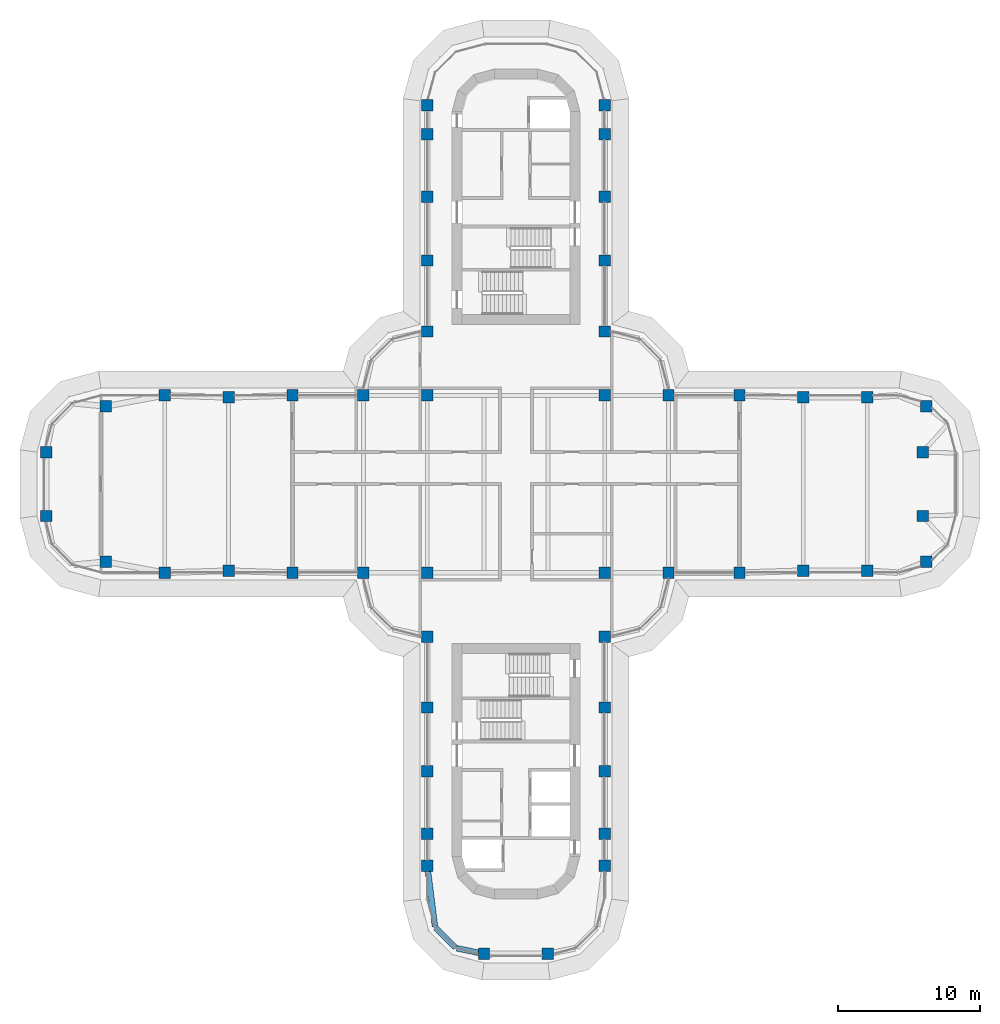
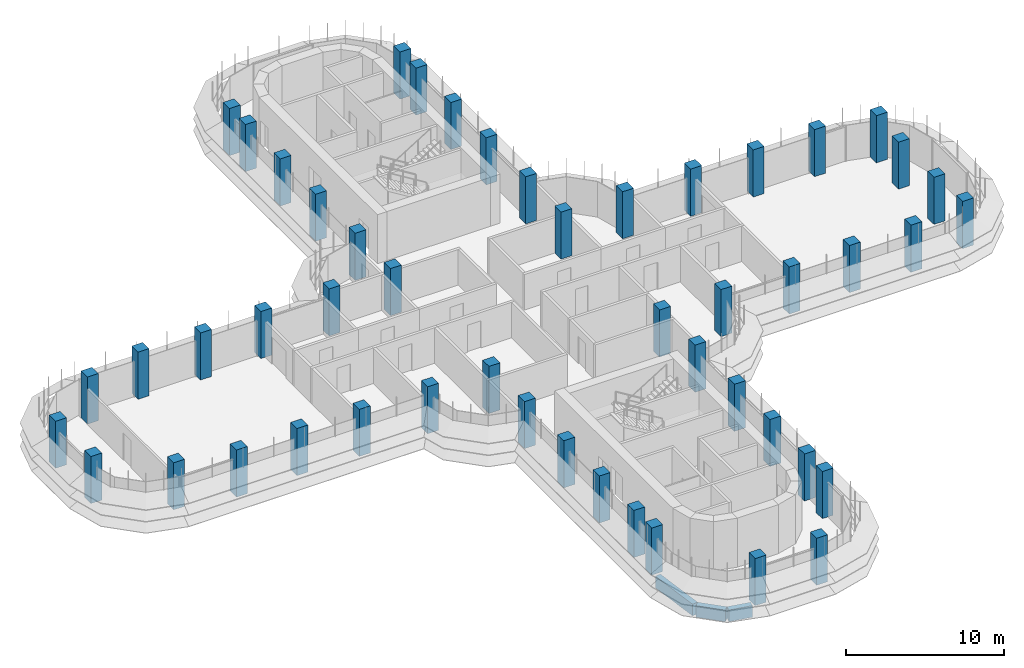
# One storey, part 1 of 20: 50 columns, 3 beams.
"""IFC4 building model written with IfcOpenShell, lengths in metres."""

from ifc_helpers import new_model, si_unit, direction, frame, origin, origin_2d, place, context, subcontext, project, spatial, rectangle, extrude, material, material_profile, profile_set, type_object, element, save


model = new_model("IFC4")

# Units and contexts
model_context = context("Model", 3, precision=1e-05, world=origin(), true_north=direction((0.0, 1.0)))
body_context = subcontext(model_context, "Body", "Model", "MODEL_VIEW")
ifc_project = project(units=[si_unit("LENGTHUNIT", "METRE"), si_unit("AREAUNIT", "SQUARE_METRE"), si_unit("VOLUMEUNIT", "CUBIC_METRE"), si_unit("PLANEANGLEUNIT", "RADIAN"), si_unit("MASSUNIT", "GRAM", prefix="KILO")], contexts=[model_context])

# Site, building, storey
site_placement = place(None, origin())
site = spatial("IfcSite", under=ifc_project, at=site_placement, CompositionType="ELEMENT")
building_placement = place(site_placement, origin())
building = spatial("IfcBuilding", under=site, at=building_placement, Name="Zarbagh Exchange Tower", CompositionType="ELEMENT")
storey_placement = place(building_placement, frame((0.0, 0.0, 152.39990234375)))
storey = spatial("IfcBuildingStorey", under=building, at=storey_placement, Name="L36", CompositionType="ELEMENT", Elevation=152.39990234375)

# Columns
ifc_material = material(Name="Concrete C50/60", Category="concrete")
ifc_material_profile_1 = material_profile(ifc_material, rectangle(XDim=0.800048828125, YDim=0.800048828125, at=origin_2d()), Name="RC column 800 x 800 C50/60")
ifc_profile_set_1 = profile_set([ifc_material_profile_1], Name="Concrete C50/60")
column_type = type_object("IfcColumnType", Name="RC column 800 x 800 C50/60", PredefinedType="COLUMN", material=ifc_profile_set_1)
for number, where, z_axis, x_axis, name in (
    (1, (-33.110107421875, -2.25, 0.0), (0.0, 0.0, 1.0), (1.0, 0.0, 0.0), "C4 10/S"),
    (2, (-33.110107421875, 2.25, 0.0), (0.0, 0.0, 1.0), (1.0, 0.0, 0.0), "C4 10/T"),
    (3, (-28.907958984375, -5.47509765625, 0.0), (0.0, 0.0, 1.0), (1.0, 0.0, 0.0), "C4 11/R"),
    (4, (-28.907958984375, 5.47509765625, 0.0), (0.0, 0.0, 1.0), (1.0, 0.0, 0.0), "C4 11/U"),
    (5, (-24.75, -6.25, 0.0), (0.0, 0.0, 1.0), (1.0, 0.0, 0.0), "C4 12/R"),
    (6, (-24.75, 6.25, 0.0), (0.0, 0.0, 1.0), (1.0, 0.0, 0.0), "C4 12/U"),
    (7, (-20.25, -6.110107421875, 0.0), (0.0, 0.0, 1.0), (1.0, 0.0, 0.0), "C4 13/R"),
    (8, (-20.25, 6.110107421875, 0.0), (0.0, 0.0, 1.0), (1.0, 0.0, 0.0), "C4 13/U"),
    (9, (-15.75, -6.25, 0.0), (0.0, 0.0, 1.0), (1.0, 0.0, 0.0), "C4 14/R"),
    (10, (-15.75, 6.25, 0.0), (0.0, 0.0, 1.0), (1.0, 0.0, 0.0), "C4 14/U"),
    (11, (-10.75, -6.25, 0.0), (0.0, 0.0, 1.0), (1.0, 0.0, 0.0), "C4 15/R"),
    (12, (-10.75, 6.25, 0.0), (0.0, 0.0, 1.0), (1.0, 0.0, 0.0), "C4 15/U"),
    (13, (-6.25, -26.89990234375, 0.0), (0.0, 0.0, 1.0), (1.0, 0.0, 0.0), "C4 16/L"),
    (14, (-6.25, -24.64990234375, 0.0), (0.0, 0.0, 1.0), (1.0, 0.0, 0.0), "C4 16/M"),
    (15, (-6.25, -20.25, 0.0), (0.0, 0.0, 1.0), (1.0, 0.0, 0.0), "C4 16/N"),
    (16, (-6.25, -15.75, 0.0), (0.0, 0.0, 1.0), (1.0, 0.0, 0.0), "C4 16/P"),
    (17, (-6.25, -10.75, 0.0), (0.0, 0.0, 1.0), (1.0, 0.0, 0.0), "C4 16/Q"),
    (18, (-6.25, -6.25, 0.0), (0.0, 0.0, 1.0), (1.0, 0.0, 0.0), "C4 16/R"),
    (19, (-6.25, 6.25, 0.0), (0.0, 0.0, 1.0), (1.0, 0.0, 0.0), "C4 16/U"),
    (20, (-6.25, 10.75, 0.0), (0.0, 0.0, 1.0), (1.0, 0.0, 0.0), "C4 16/V"),
    (21, (-6.25, 15.75, 0.0), (0.0, 0.0, 1.0), (1.0, 0.0, 0.0), "C4 16/W"),
    (22, (-6.25, 20.25, 0.0), (0.0, 0.0, 1.0), (1.0, 0.0, 0.0), "C4 16/X"),
    (23, (-6.25, 24.64990234375, 0.0), (0.0, 0.0, 1.0), (1.0, 0.0, 0.0), "C4 16/Y"),
    (24, (-6.25, 26.699951171875, 0.0), (0.0, 0.0, 1.0), (1.0, 0.0, 0.0), "C4 16/Z"),
    (25, (-2.25, -33.110107421875, 0.0), (0.0, 0.0, 1.0), (1.0, 0.0, 0.0), "C4 17/K"),
    (26, (2.25, -33.110107421875, 0.0), (0.0, 0.0, 1.0), (1.0, 0.0, 0.0), "C4 18/K"),
    (27, (6.25, -26.89990234375, 0.0), (0.0, 0.0, 1.0), (1.0, 0.0, 0.0), "C4 19/L"),
    (28, (6.25, -24.64990234375, 0.0), (0.0, 0.0, 1.0), (1.0, 0.0, 0.0), "C4 19/M"),
    (29, (6.25, -20.25, 0.0), (0.0, 0.0, 1.0), (1.0, 0.0, 0.0), "C4 19/N"),
    (30, (6.25, -15.75, 0.0), (0.0, 0.0, 1.0), (1.0, 0.0, 0.0), "C4 19/P"),
    (31, (6.25, -10.75, 0.0), (0.0, 0.0, 1.0), (1.0, 0.0, 0.0), "C4 19/Q"),
    (32, (6.25, -6.25, 0.0), (0.0, 0.0, 1.0), (1.0, 0.0, 0.0), "C4 19/R"),
    (33, (6.25, 6.25, 0.0), (0.0, 0.0, 1.0), (1.0, 0.0, 0.0), "C4 19/U"),
    (34, (6.25, 10.75, 0.0), (0.0, 0.0, 1.0), (1.0, 0.0, 0.0), "C4 19/V"),
    (35, (6.25, 15.75, 0.0), (0.0, 0.0, 1.0), (1.0, 0.0, 0.0), "C4 19/W"),
    (36, (6.25, 20.25, 0.0), (0.0, 0.0, 1.0), (1.0, 0.0, 0.0), "C4 19/X"),
    (37, (6.25, 24.64990234375, 0.0), (0.0, 0.0, 1.0), (1.0, 0.0, 0.0), "C4 19/Y"),
    (38, (6.25, 26.699951171875, 0.0), (0.0, 0.0, 1.0), (1.0, 0.0, 0.0), "C4 19/Z"),
    (39, (10.75, -6.25, 0.0), (0.0, 0.0, 1.0), (1.0, 0.0, 0.0), "C4 20/R"),
    (40, (10.75, 6.25, 0.0), (0.0, 0.0, 1.0), (1.0, 0.0, 0.0), "C4 20/U"),
    (41, (15.75, -6.25, 0.0), (0.0, 0.0, 1.0), (1.0, 0.0, 0.0), "C4 21/R"),
    (42, (15.75, 6.25, 0.0), (0.0, 0.0, 1.0), (1.0, 0.0, 0.0), "C4 21/U"),
    (43, (20.25, -6.110107421875, 0.0), (0.0, 0.0, 1.0), (1.0, 0.0, 0.0), "C4 22/R"),
    (44, (20.25, 6.110107421875, 0.0), (0.0, 0.0, 1.0), (1.0, 0.0, 0.0), "C4 22/U"),
    (45, (24.75, -6.110107421875, 0.0), (0.0, 0.0, 1.0), (1.0, 0.0, 0.0), "C4 23/R"),
    (46, (24.75, 6.110107421875, 0.0), (0.0, 0.0, 1.0), (1.0, 0.0, 0.0), "C4 23/U"),
    (47, (28.907958984375, -5.47509765625, 0.0), (0.0, 0.0, 1.0), (1.0, 0.0, 0.0), "C4 24/R"),
    (48, (28.669921875, -2.25, 0.0), (0.0, 0.0, 1.0), (1.0, 0.0, 0.0), "C4 24/S"),
    (49, (28.669921875, 2.25, 0.0), (0.0, 0.0, 1.0), (1.0, 0.0, 0.0), "C4 24/T"),
    (50, (28.907958984375, 5.47509765625, 0.0), (0.0, 0.0, 1.0), (1.0, 0.0, 0.0), "C4 24/U"),
):
    element("IfcColumn", number, at=place(storey_placement, frame(where, z_axis=z_axis, x_axis=x_axis)), inside=storey, type_object=column_type, Name=name, PredefinedType="COLUMN", context=body_context, shape_type="SweptSolid", body=[
        extrude(rectangle(XDim=0.800048828125, YDim=0.800048828125, at=origin_2d()), origin(), (0.0, 0.0, 1.0), 3.650146484375),
    ])

# Beams
ifc_material_profile_2 = material_profile(ifc_material, rectangle(XDim=0.39990234375, YDim=0.89990234375, at=origin_2d()), Name="RC spandrel beam 400 x 900 C50/60")
ifc_profile_set_2 = profile_set([ifc_material_profile_2], Name="Concrete C50/60")
beam_type = type_object("IfcBeamType", Name="RC spandrel beam 400 x 900 C50/60", PredefinedType="SPANDREL", material=ifc_profile_set_2)
beam_1_placement = place(storey_placement, frame((-2.6416015625, -33.029052734375, -0.599853515625), z_axis=(-0.979350550491, 0.20216948151, 0.0), x_axis=(-0.20216948151, -0.979350550491, 0.0)))
element("IfcBeam", 51, at=beam_1_placement, inside=storey, type_object=beam_type, Name="RC spandrel beam", PredefinedType="SPANDREL", context=body_context, shape_type="SweptSolid", body=[
    extrude(rectangle(XDim=0.39990234375, YDim=0.89990234375, at=origin_2d()), origin(), (0.0, 0.0, 1.0), 1.573486328125),
])
beam_2_placement = place(storey_placement, frame((-4.283447265625, -32.656494140625, -0.599853515625), z_axis=(-0.707106781187, 0.707106781187, 0.0), x_axis=(-0.707106781187, -0.707106781187, 0.0)))
element("IfcBeam", 52, at=beam_2_placement, inside=storey, type_object=beam_type, Name="RC spandrel beam", PredefinedType="SPANDREL", context=body_context, shape_type="SweptSolid", body=[
    extrude(rectangle(XDim=0.39990234375, YDim=0.89990234375, at=origin_2d()), origin(), (0.0, 0.0, 1.0), 1.93310546875),
])
beam_3_placement = place(storey_placement, frame((-5.70751953125, -31.17333984375, -0.599853515625), z_axis=(-0.125956921243, 0.992035712054, 0.0), x_axis=(-0.992035712054, -0.125956921243, 0.0)))
element("IfcBeam", 53, at=beam_3_placement, inside=storey, type_object=beam_type, Name="RC spandrel beam", PredefinedType="SPANDREL", context=body_context, shape_type="SweptSolid", body=[
    extrude(rectangle(XDim=0.39990234375, YDim=0.89990234375, at=origin_2d()), origin(), (0.0, 0.0, 1.0), 3.907470703125),
])

save(model, "model.ifc")
